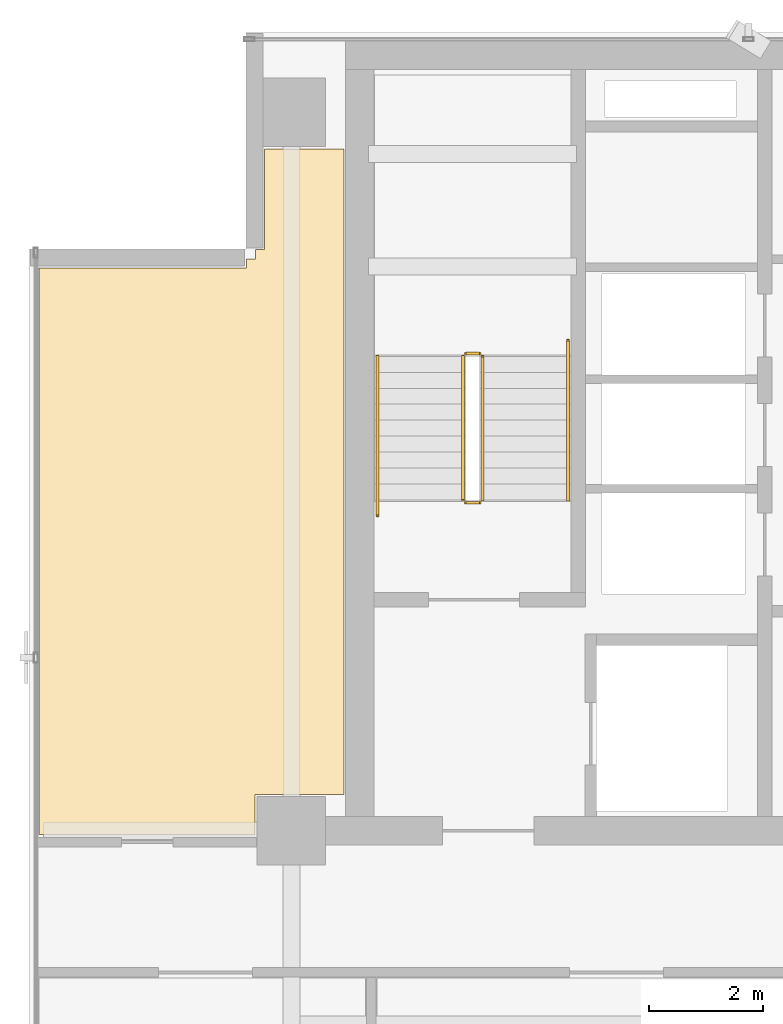
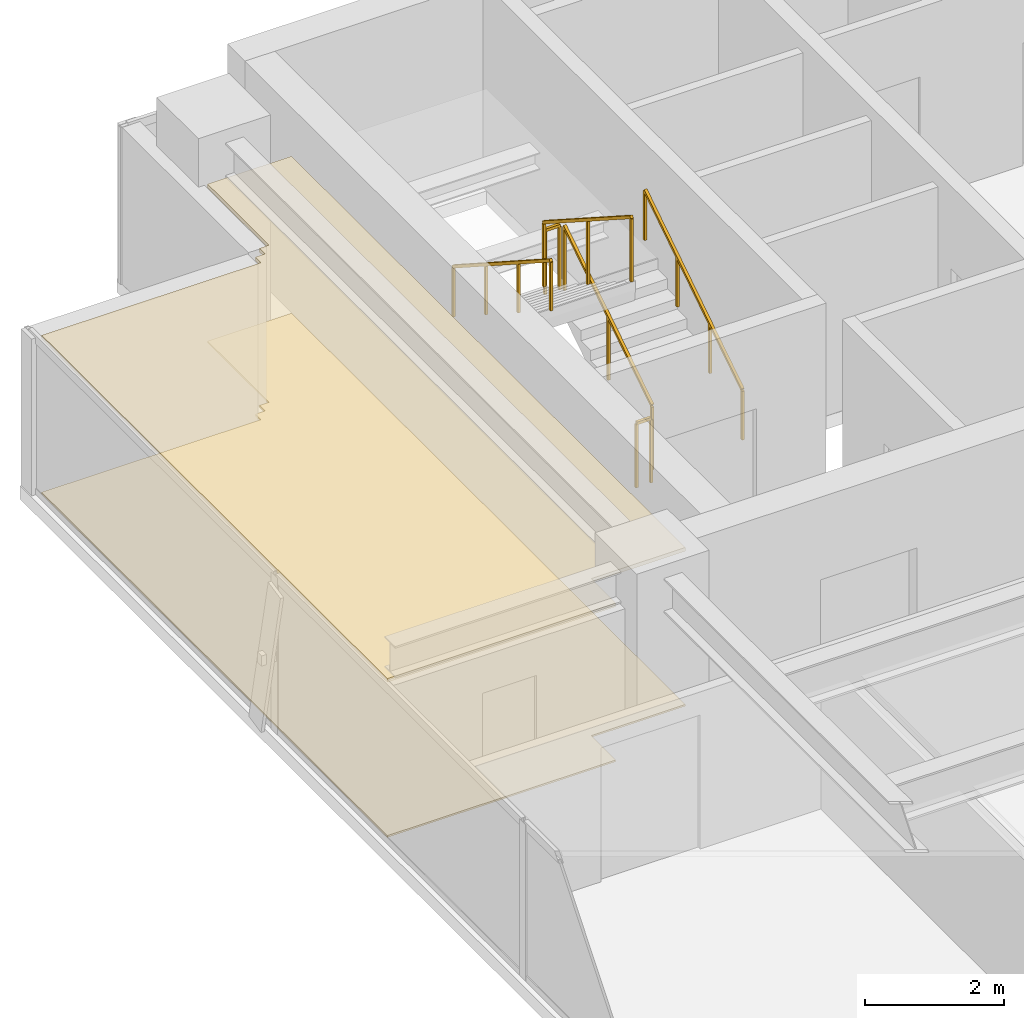
# One storey, part 19 of 22: 6 railings, 2 coverings.
"""IFC4 building model written with IfcOpenShell, lengths in metres."""

from ifc_helpers import new_model, si_unit, direction, frame, origin, origin_2d, place, context, subcontext, project, spatial, polyline, rectangle, outline, extrude, material, layer, layer_set, type_object, element, save


model = new_model("IFC4")

# Units and contexts
model_context = context("Model", 3, precision=1e-05, world=origin(), true_north=direction((0.0, 1.0)))
body_context = subcontext(model_context, "Body", "Model", "MODEL_VIEW")
ifc_project = project(units=[si_unit("LENGTHUNIT", "METRE"), si_unit("AREAUNIT", "SQUARE_METRE"), si_unit("VOLUMEUNIT", "CUBIC_METRE"), si_unit("PLANEANGLEUNIT", "RADIAN"), si_unit("MASSUNIT", "GRAM", prefix="KILO")], contexts=[model_context])

# Site, building, storey
site_placement = place(None, origin())
site = spatial("IfcSite", under=ifc_project, at=site_placement, CompositionType="ELEMENT")
building_placement = place(site_placement, origin())
building = spatial("IfcBuilding", under=site, at=building_placement, Name="Sumidabori Civic Tower", CompositionType="ELEMENT")
storey_placement = place(building_placement, frame((0.0, 0.0, 286.39990234375)))
storey = spatial("IfcBuildingStorey", under=building, at=storey_placement, Name="L75", CompositionType="ELEMENT", Elevation=286.39990234375)

# Coverings
ifc_material_1 = material(Name="Gypsum Coffered Acoustic Ceiling")
ifc_layer_1 = layer(ifc_material_1, 0.06494140625, Name="Gypsum Coffered Acoustic Ceiling")
ifc_layer_set_1 = layer_set([ifc_layer_1], Name="Gypsum Coffered Acoustic Ceiling")
covering_type_1 = type_object("IfcCoveringType", Name="CV-CEIL-AC4", PredefinedType="CEILING", material=ifc_layer_set_1)
covering_1_placement = place(storey_placement, frame((0.0, 0.0, 2.72021484375)))
element("IfcCovering", 1, at=covering_1_placement, inside=storey, type_object=covering_type_1, Name="Room Acoustic Ceiling L75-01", PredefinedType="CEILING", context=body_context, shape_type="SweptSolid", body=[
    extrude(outline(polyline([(-17.592041015625, 20.22998046875), (-17.429931640625, 20.22998046875), (-17.429931640625, 20.39208984375), (-17.27197265625, 20.39208984375), (-17.27197265625, 22.159912109375), (-15.8779296875, 22.159912109375), (-15.8779296875, 10.840087890625), (-17.43994140625, 10.840087890625), (-17.43994140625, 10.135009765625), (-21.22998046875, 10.135009765625), (-21.22998046875, 20.072021484375), (-17.592041015625, 20.072021484375), (-17.592041015625, 20.22998046875)])), origin(), (0.0, 0.0, 1.0), 0.06494140625),
])
ifc_material_2 = material(Name="Honed Terrazzo Tile Flooring")
ifc_layer_2 = layer(ifc_material_2, 0.030029296875, Name="Honed Terrazzo Tile Flooring")
ifc_layer_set_2 = layer_set([ifc_layer_2], Name="Honed Terrazzo Tile Flooring")
covering_type_2 = type_object("IfcCoveringType", Name="CV-FLR-TER", PredefinedType="FLOORING", material=ifc_layer_set_2)
covering_2_placement = place(storey_placement, origin())
element("IfcCovering", 2, at=covering_2_placement, inside=storey, type_object=covering_type_2, Name="Room Terrazzo Floor L75-01", PredefinedType="FLOORING", context=body_context, shape_type="SweptSolid", body=[
    extrude(outline(polyline([(-17.592041015625, 20.22998046875), (-17.429931640625, 20.22998046875), (-17.429931640625, 20.39208984375), (-17.27197265625, 20.39208984375), (-17.27197265625, 22.159912109375), (-15.8779296875, 22.159912109375), (-15.8779296875, 10.840087890625), (-17.43994140625, 10.840087890625), (-17.43994140625, 10.135009765625), (-21.22998046875, 10.135009765625), (-21.22998046875, 20.072021484375), (-17.592041015625, 20.072021484375), (-17.592041015625, 20.22998046875)])), origin(), (0.0, 0.0, 1.0), 0.030029296875),
])

# Railings
ifc_material_3 = material(Name="Stainless Steel Hairline Finish", Category="steel")
railing_type_1 = type_object("IfcRailingType", Name="RL-HANDRAIL", PredefinedType="HANDRAIL", material=ifc_material_3)
railing_1_placement = place(storey_placement, frame((-11.949951171875, 16.0, 0.18017578125)))
element("IfcRailing", 3, at=railing_1_placement, inside=storey, type_object=railing_type_1, Name="L75 ST-1 stair handrail 1", PredefinedType="HANDRAIL", context=body_context, shape_type="SweptSolid", body=[
    extrude(rectangle(XDim=0.048095703125, YDim=0.048095703125, at=origin_2d()), frame((0.0, 0.0, 0.8759765625), z_axis=(0.0, 0.840675598268, 0.541539046124), x_axis=(-1.0, 0.0, 0.0)), (0.0, 0.0, 1.0), 3.330810546875),
    extrude(rectangle(XDim=0.0419921875, YDim=0.0419921875, at=origin_2d()), origin(), (0.0, 0.0, 1.0), 0.851806640625),
    extrude(rectangle(XDim=0.0419921875, YDim=0.0419921875, at=origin_2d()), frame((0.0, 0.933349609375, 0.601318359375)), (0.0, 0.0, 1.0), 0.851806640625),
    extrude(rectangle(XDim=0.0419921875, YDim=0.0419921875, at=origin_2d()), frame((0.0, 1.86669921875, 1.202392578125)), (0.0, 0.0, 1.0), 0.851806640625),
    extrude(rectangle(XDim=0.0419921875, YDim=0.0419921875, at=origin_2d()), frame((0.0, 2.800048828125, 1.8037109375)), (0.0, 0.0, 1.0), 0.851806640625),
])
railing_2_placement = place(storey_placement, frame((-15.2900390625, 18.52001953125, 1.97998046875)))
element("IfcRailing", 4, at=railing_2_placement, inside=storey, type_object=railing_type_1, Name="L75 ST-1 stair handrail 2", PredefinedType="HANDRAIL", context=body_context, shape_type="SweptSolid", body=[
    extrude(rectangle(XDim=0.048095703125, YDim=0.048095703125, at=origin_2d()), frame((0.0, 0.0, 0.8759765625), z_axis=(0.0, -0.84064222762, 0.54159084662), x_axis=(1.0, 0.0, 0.0)), (0.0, 0.0, 1.0), 3.330810546875),
    extrude(rectangle(XDim=0.0419921875, YDim=0.0419921875, at=origin_2d()), origin(), (0.0, 0.0, 1.0), 0.851806640625),
    extrude(rectangle(XDim=0.0419921875, YDim=0.0419921875, at=origin_2d()), frame((0.0, -0.933349609375, 0.601318359375)), (0.0, 0.0, 1.0), 0.851806640625),
    extrude(rectangle(XDim=0.0419921875, YDim=0.0419921875, at=origin_2d()), frame((0.0, -1.86669921875, 1.20263671875)), (0.0, 0.0, 1.0), 0.851806640625),
    extrude(rectangle(XDim=0.0419921875, YDim=0.0419921875, at=origin_2d()), frame((0.0, -2.800048828125, 1.803955078125)), (0.0, 0.0, 1.0), 0.851806640625),
])
ifc_material_4 = material(Name="Steel SN490", Category="steel")
railing_type_2 = type_object("IfcRailingType", Name="RL-STAIR-GUARD", PredefinedType="GUARDRAIL", material=ifc_material_4)
railing_3_placement = place(storey_placement, frame((-13.449951171875, 16.0, 0.18017578125)))
element("IfcRailing", 5, at=railing_3_placement, inside=storey, type_object=railing_type_2, Name="L75 ST-1 stair guard 1", PredefinedType="GUARDRAIL", context=body_context, shape_type="SweptSolid", body=[
    extrude(rectangle(XDim=0.048095703125, YDim=0.048095703125, at=origin_2d()), frame((0.0, 0.0, 1.1259765625), z_axis=(0.0, 0.841199657755, 0.540724639528), x_axis=(-1.0, 0.0, 0.0)), (0.0, 0.0, 1.0), 2.995849609375),
    extrude(rectangle(XDim=0.0419921875, YDim=0.0419921875, at=origin_2d()), origin(), (0.0, 0.0, 1.0), 1.101806640625),
    extrude(rectangle(XDim=0.0419921875, YDim=0.0419921875, at=origin_2d()), frame((0.0, 1.260009765625, 0.81005859375)), (0.0, 0.0, 1.0), 1.101806640625),
    extrude(rectangle(XDim=0.0419921875, YDim=0.0419921875, at=origin_2d()), frame((0.0, 2.52001953125, 1.619873046875)), (0.0, 0.0, 1.0), 1.101806640625),
])
railing_4_placement = place(storey_placement, frame((-13.5, 18.570068359375, 1.800048828125)))
element("IfcRailing", 6, at=railing_4_placement, inside=storey, type_object=railing_type_2, Name="L75 ST-1 stair guard 2", PredefinedType="GUARDRAIL", context=body_context, shape_type="SweptSolid", body=[
    extrude(rectangle(XDim=0.048095703125, YDim=0.048095703125, at=origin_2d()), frame((0.0, 0.0, 1.1259765625), z_axis=(-1.0, 0.0, 0.0), x_axis=(0.0, -1.0, 0.0)), (0.0, 0.0, 1.0), 0.239990234375),
    extrude(rectangle(XDim=0.0419921875, YDim=0.0419921875, at=origin_2d()), origin(), (0.0, 0.0, 1.0), 1.101806640625),
    extrude(rectangle(XDim=0.0419921875, YDim=0.0419921875, at=origin_2d()), frame((-0.239990234375, 0.0, 0.0)), (0.0, 0.0, 1.0), 1.101806640625),
])
railing_5_placement = place(storey_placement, frame((-13.7900390625, 18.52001953125, 1.97998046875)))
element("IfcRailing", 7, at=railing_5_placement, inside=storey, type_object=railing_type_2, Name="L75 ST-1 stair guard 3", PredefinedType="GUARDRAIL", context=body_context, shape_type="SweptSolid", body=[
    extrude(rectangle(XDim=0.048095703125, YDim=0.048095703125, at=origin_2d()), frame((0.0, 0.0, 1.1259765625), z_axis=(0.0, -0.841162588446, 0.540782303519), x_axis=(1.0, 0.0, 0.0)), (0.0, 0.0, 1.0), 2.995849609375),
    extrude(rectangle(XDim=0.0419921875, YDim=0.0419921875, at=origin_2d()), origin(), (0.0, 0.0, 1.0), 1.101806640625),
    extrude(rectangle(XDim=0.0419921875, YDim=0.0419921875, at=origin_2d()), frame((0.0, -1.260009765625, 0.81005859375)), (0.0, 0.0, 1.0), 1.101806640625),
    extrude(rectangle(XDim=0.0419921875, YDim=0.0419921875, at=origin_2d()), frame((0.0, -2.52001953125, 1.6201171875)), (0.0, 0.0, 1.0), 1.101806640625),
])
railing_6_placement = place(storey_placement, frame((-13.5, 15.949951171875, 0.0)))
element("IfcRailing", 8, at=railing_6_placement, inside=storey, type_object=railing_type_2, Name="L75 ST-1 stair guard 4", PredefinedType="GUARDRAIL", context=body_context, shape_type="SweptSolid", body=[
    extrude(rectangle(XDim=0.048095703125, YDim=0.048095703125, at=origin_2d()), frame((0.0, 0.0, 1.1259765625), z_axis=(-1.0, 0.0, 0.0), x_axis=(0.0, -1.0, 0.0)), (0.0, 0.0, 1.0), 0.239990234375),
    extrude(rectangle(XDim=0.0419921875, YDim=0.0419921875, at=origin_2d()), origin(), (0.0, 0.0, 1.0), 1.101806640625),
    extrude(rectangle(XDim=0.0419921875, YDim=0.0419921875, at=origin_2d()), frame((-0.239990234375, 0.0, 0.0)), (0.0, 0.0, 1.0), 1.101806640625),
])

save(model, "model.ifc")
